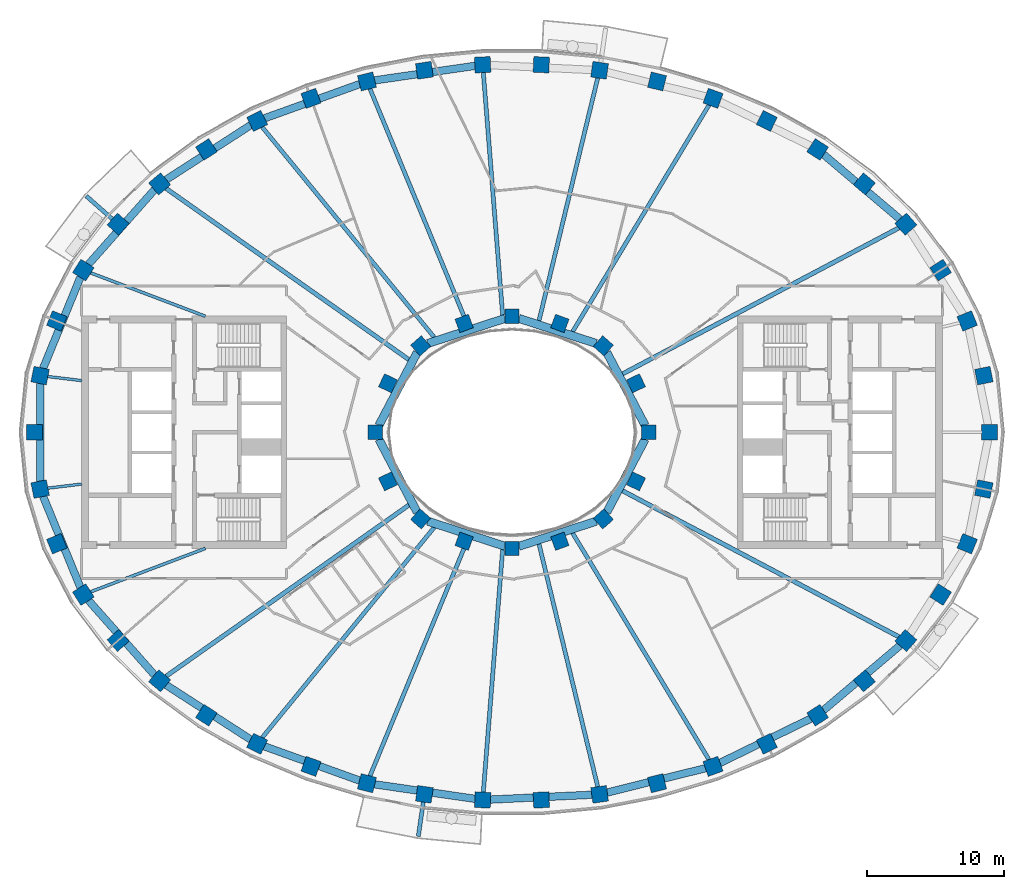
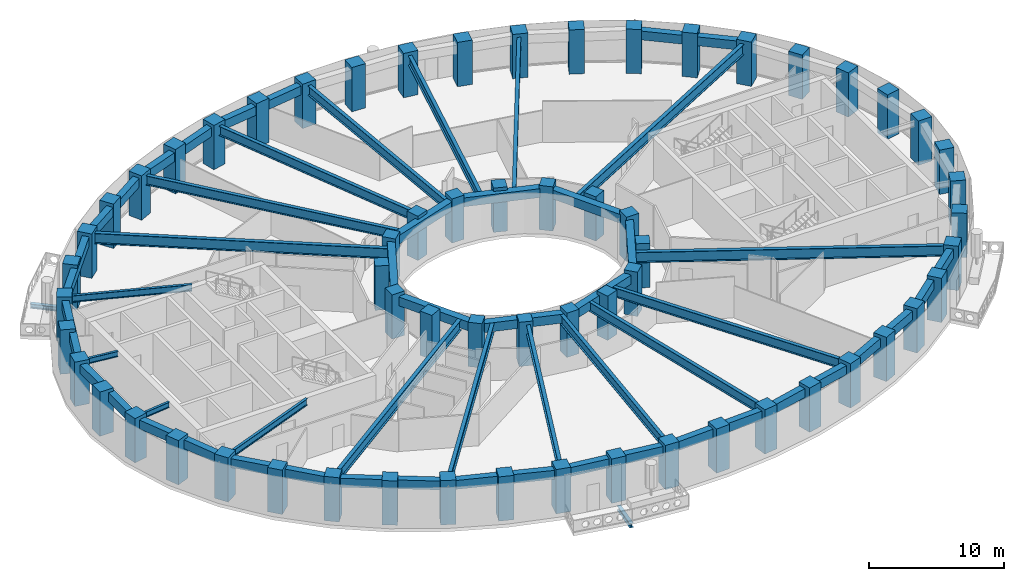
# One storey, part 1 of 16: 62 columns, 44 beams.
"""IFC4 building model written with IfcOpenShell, lengths in metres."""

from ifc_helpers import new_model, si_unit, direction, frame, origin, origin_2d, place, context, subcontext, project, spatial, rectangle, i_section, extrude, material, material_profile, profile_set, type_object, element, save


model = new_model("IFC4")

# Units and contexts
model_context = context("Model", 3, precision=1e-05, world=origin(), true_north=direction((0.0, 1.0)))
body_context = subcontext(model_context, "Body", "Model", "MODEL_VIEW")
ifc_project = project(units=[si_unit("LENGTHUNIT", "METRE"), si_unit("AREAUNIT", "SQUARE_METRE"), si_unit("VOLUMEUNIT", "CUBIC_METRE"), si_unit("PLANEANGLEUNIT", "RADIAN"), si_unit("MASSUNIT", "GRAM", prefix="KILO")], contexts=[model_context])

# Site, building, storey
site_placement = place(None, origin())
site = spatial("IfcSite", under=ifc_project, at=site_placement, CompositionType="ELEMENT")
building_placement = place(site_placement, origin())
building = spatial("IfcBuilding", under=site, at=building_placement, Name="Noorbagh Ring Tower", CompositionType="ELEMENT")
storey_placement = place(building_placement, frame((0.0, 0.0, 178.0)))
storey = spatial("IfcBuildingStorey", under=building, at=storey_placement, Name="L41", CompositionType="ELEMENT", Elevation=178.0)

# Columns
ifc_material_1 = material(Name="Concrete C60/75", Category="concrete")
ifc_material_profile_1 = material_profile(ifc_material_1, rectangle(XDim=1.14990234375, YDim=1.14990234375, at=origin_2d()), Name="RC1150x1150")
ifc_profile_set_1 = profile_set([ifc_material_profile_1], Name="Concrete C60/75")
column_type_1 = type_object("IfcColumnType", Name="STR-COL-RC1150x1150-C60-75", PredefinedType="COLUMN", material=ifc_profile_set_1)
for number, where, z_axis, x_axis, name in (
    (1, (34.944580078125, 0.0, 0.0), (0.0, 0.0, 1.0), (0.0, 1.0, 0.0), "L41/col/R1-01"),
    (2, (34.52685546875, 4.150634765625, 0.0), (0.0, 0.0, 1.0), (-0.19723040178, 0.9803571638, 0.0), "L41/col/R1-02"),
    (3, (33.30517578125, 8.1494140625, 0.0), (0.0, 0.0, 1.0), (-0.378989499959, 0.925400971969, 0.0), "L41/col/R1-03"),
    (4, (31.364990234375, 11.87109375, 0.0), (0.0, 0.0, 1.0), (-0.535190403059, 0.844731455833, 0.0), "L41/col/R1-04"),
    (5, (28.81884765625, 15.23046875, 0.0), (0.0, 0.0, 1.0), (-0.662635642662, 0.748941923699, 0.0), "L41/col/R1-05"),
    (6, (25.78271484375, 18.180419921875, 0.0), (0.0, 0.0, 1.0), (-0.763035199656, 0.646356932419, 0.0), "L41/col/R1-06"),
    (7, (22.362060546875, 20.699951171875, 0.0), (0.0, 0.0, 1.0), (-0.840247639643, 0.542202825586, 0.0), "L41/col/R1-07"),
    (8, (18.646240234375, 22.785400390625, 0.0), (0.0, 0.0, 1.0), (-0.898399080868, 0.439180021741, 0.0), "L41/col/R1-08"),
    (9, (14.70947265625, 24.44091796875, 0.0), (0.0, 0.0, 1.0), (-0.941024726094, 0.338337797003, 0.0), "L41/col/R1-09"),
    (10, (10.61328125, 25.673583984375, 0.0), (0.0, 0.0, 1.0), (-0.970829360981, 0.239771457553, 0.0), "L41/col/R1-10"),
    (11, (6.4091796875, 26.49072265625, 0.0), (0.0, 0.0, 1.0), (-0.989713114048, 0.143066249975, 0.0), "L41/col/R1-11"),
    (12, (2.14306640625, 26.89794921875, 0.0), (0.0, 0.0, 1.0), (-0.998868731212, 0.047552684538, 0.0), "L41/col/R1-12"),
    (13, (-2.14306640625, 26.89794921875, 0.0), (0.0, 0.0, 1.0), (-0.998868731212, -0.047552684538, 0.0), "L41/col/R1-13"),
    (14, (-6.4091796875, 26.49072265625, 0.0), (0.0, 0.0, 1.0), (-0.989713114048, -0.143066249975, 0.0), "L41/col/R1-14"),
    (15, (-10.61328125, 25.673583984375, 0.0), (0.0, 0.0, 1.0), (-0.970829360981, -0.239771457553, 0.0), "L41/col/R1-15"),
    (16, (-14.70947265625, 24.44091796875, 0.0), (0.0, 0.0, 1.0), (-0.941024726094, -0.338337797003, 0.0), "L41/col/R1-16"),
    (17, (-18.646240234375, 22.785400390625, 0.0), (0.0, 0.0, 1.0), (-0.898399080868, -0.439180021741, 0.0), "L41/col/R1-17"),
    (18, (-22.362060546875, 20.699951171875, 0.0), (0.0, 0.0, 1.0), (-0.840247639643, -0.542202825586, 0.0), "L41/col/R1-18"),
    (19, (-25.78271484375, 18.180419921875, 0.0), (0.0, 0.0, 1.0), (-0.763035199656, -0.646356932419, 0.0), "L41/col/R1-19"),
    (20, (-28.81884765625, 15.23046875, 0.0), (0.0, 0.0, 1.0), (-0.662635642662, -0.748941923699, 0.0), "L41/col/R1-20"),
    (21, (-31.364990234375, 11.87109375, 0.0), (0.0, 0.0, 1.0), (-0.535190403059, -0.844731455833, 0.0), "L41/col/R1-21"),
    (22, (-33.30517578125, 8.1494140625, 0.0), (0.0, 0.0, 1.0), (-0.378989499959, -0.925400971969, 0.0), "L41/col/R1-22"),
    (23, (-34.52685546875, 4.150634765625, 0.0), (0.0, 0.0, 1.0), (-0.19723040178, -0.9803571638, 0.0), "L41/col/R1-23"),
    (24, (-34.944580078125, 0.0, 0.0), (0.0, 0.0, 1.0), (0.0, -1.0, 0.0), "L41/col/R1-24"),
    (25, (-34.52685546875, -4.150634765625, 0.0), (0.0, 0.0, 1.0), (0.19723040178, -0.9803571638, 0.0), "L41/col/R1-25"),
    (26, (-33.30517578125, -8.1494140625, 0.0), (0.0, 0.0, 1.0), (0.378989499959, -0.925400971969, 0.0), "L41/col/R1-26"),
    (27, (-31.364990234375, -11.87109375, 0.0), (0.0, 0.0, 1.0), (0.535190403059, -0.844731455833, 0.0), "L41/col/R1-27"),
    (28, (-28.81884765625, -15.23046875, 0.0), (0.0, 0.0, 1.0), (0.662635642662, -0.748941923699, 0.0), "L41/col/R1-28"),
    (29, (-25.78271484375, -18.180419921875, 0.0), (0.0, 0.0, 1.0), (0.763035199656, -0.646356932419, 0.0), "L41/col/R1-29"),
    (30, (-22.362060546875, -20.699951171875, 0.0), (0.0, 0.0, 1.0), (0.840247639643, -0.542202825586, 0.0), "L41/col/R1-30"),
    (31, (-18.646240234375, -22.785400390625, 0.0), (0.0, 0.0, 1.0), (0.898399080868, -0.439180021741, 0.0), "L41/col/R1-31"),
    (32, (-14.70947265625, -24.44091796875, 0.0), (0.0, 0.0, 1.0), (0.941024726094, -0.338337797003, 0.0), "L41/col/R1-32"),
    (33, (-10.61328125, -25.673583984375, 0.0), (0.0, 0.0, 1.0), (0.970829360981, -0.239771457553, 0.0), "L41/col/R1-33"),
    (34, (-6.4091796875, -26.49072265625, 0.0), (0.0, 0.0, 1.0), (0.989713114048, -0.143066249975, 0.0), "L41/col/R1-34"),
    (35, (-2.14306640625, -26.89794921875, 0.0), (0.0, 0.0, 1.0), (0.998868731212, -0.047552684538, 0.0), "L41/col/R1-35"),
    (36, (2.14306640625, -26.89794921875, 0.0), (0.0, 0.0, 1.0), (0.998868731212, 0.047552684538, 0.0), "L41/col/R1-36"),
    (37, (6.4091796875, -26.49072265625, 0.0), (0.0, 0.0, 1.0), (0.989713114048, 0.143066249975, 0.0), "L41/col/R1-37"),
    (38, (10.61328125, -25.673583984375, 0.0), (0.0, 0.0, 1.0), (0.970829360981, 0.239771457553, 0.0), "L41/col/R1-38"),
    (39, (14.70947265625, -24.44091796875, 0.0), (0.0, 0.0, 1.0), (0.941024726094, 0.338337797003, 0.0), "L41/col/R1-39"),
    (40, (18.646240234375, -22.785400390625, 0.0), (0.0, 0.0, 1.0), (0.898399080868, 0.439180021741, 0.0), "L41/col/R1-40"),
    (41, (22.362060546875, -20.699951171875, 0.0), (0.0, 0.0, 1.0), (0.840247639643, 0.542202825586, 0.0), "L41/col/R1-41"),
    (42, (25.78271484375, -18.180419921875, 0.0), (0.0, 0.0, 1.0), (0.763035199656, 0.646356932419, 0.0), "L41/col/R1-42"),
    (43, (28.81884765625, -15.23046875, 0.0), (0.0, 0.0, 1.0), (0.662635642662, 0.748941923699, 0.0), "L41/col/R1-43"),
    (44, (31.364990234375, -11.87109375, 0.0), (0.0, 0.0, 1.0), (0.535190403059, 0.844731455833, 0.0), "L41/col/R1-44"),
    (45, (33.30517578125, -8.1494140625, 0.0), (0.0, 0.0, 1.0), (0.378989499959, 0.925400971969, 0.0), "L41/col/R1-45"),
    (46, (34.52685546875, -4.150634765625, 0.0), (0.0, 0.0, 1.0), (0.19723040178, 0.9803571638, 0.0), "L41/col/R1-46"),
):
    element("IfcColumn", number, at=place(storey_placement, frame(where, z_axis=z_axis, x_axis=x_axis)), inside=storey, type_object=column_type_1, Name=name, PredefinedType="COLUMN", context=body_context, shape_type="SweptSolid", body=[
        extrude(rectangle(XDim=1.14990234375, YDim=1.14990234375, at=origin_2d()), origin(), (0.0, 0.0, 1.0), 4.0),
    ])
ifc_material_2 = material(Name="Concrete C60/75", Category="concrete")
ifc_material_profile_2 = material_profile(ifc_material_2, rectangle(XDim=1.050048828125, YDim=1.050048828125, at=origin_2d()), Name="RC1050x1050")
ifc_profile_set_2 = profile_set([ifc_material_profile_2], Name="Concrete C60/75")
column_type_2 = type_object("IfcColumnType", Name="STR-ICOL-RC1050x1050-C60-75", PredefinedType="COLUMN", material=ifc_profile_set_2)
for number, where, z_axis, x_axis, name in (
    (47, (10.00830078125, 0.0, 0.0), (0.0, 0.0, 1.0), (0.0, 1.0, 0.0), "L41/col/IR2-W01"),
    (48, (9.07568359375, 3.58837890625, 0.0), (0.0, 0.0, 1.0), (-0.428666979171, 0.903462573087, 0.0), "L41/col/IR2-W03"),
    (49, (6.68212890625, 6.333740234375, 0.0), (0.0, 0.0, 1.0), (-0.75102249095, 0.660276622399, 0.0), "L41/col/IR2-W05"),
    (50, (3.5009765625, 7.967041015625, 0.0), (0.0, 0.0, 1.0), (-0.939019578916, 0.343863679984, 0.0), "L41/col/IR2-W07"),
    (51, (0.0, 8.5029296875, 0.0), (0.0, 0.0, 1.0), (-1.0, 0.0, 0.0), "L41/col/IR2-W09"),
    (52, (-3.5009765625, 7.967041015625, 0.0), (0.0, 0.0, 1.0), (-0.939019578916, -0.343863679984, 0.0), "L41/col/IR2-W11"),
    (53, (-6.68212890625, 6.333740234375, 0.0), (0.0, 0.0, 1.0), (-0.75102249095, -0.660276622399, 0.0), "L41/col/IR2-W13"),
    (54, (-9.07568359375, 3.58837890625, 0.0), (0.0, 0.0, 1.0), (-0.428666979171, -0.903462573087, 0.0), "L41/col/IR2-W15"),
    (55, (-10.00830078125, 0.0, 0.0), (0.0, 0.0, 1.0), (0.0, -1.0, 0.0), "L41/col/IR2-W17"),
    (56, (-9.07568359375, -3.58837890625, 0.0), (0.0, 0.0, 1.0), (0.428666979171, -0.903462573087, 0.0), "L41/col/IR2-W19"),
    (57, (-6.68212890625, -6.333740234375, 0.0), (0.0, 0.0, 1.0), (0.75102249095, -0.660276622399, 0.0), "L41/col/IR2-W21"),
    (58, (-3.5009765625, -7.967041015625, 0.0), (0.0, 0.0, 1.0), (0.939019578916, -0.343863679984, 0.0), "L41/col/IR2-W23"),
    (59, (0.0, -8.5029296875, 0.0), (0.0, 0.0, 1.0), (1.0, 0.0, 0.0), "L41/col/IR2-W25"),
    (60, (3.5009765625, -7.967041015625, 0.0), (0.0, 0.0, 1.0), (0.939019578916, 0.343863679984, 0.0), "L41/col/IR2-W27"),
    (61, (6.68212890625, -6.333740234375, 0.0), (0.0, 0.0, 1.0), (0.75102249095, 0.660276622399, 0.0), "L41/col/IR2-W29"),
    (62, (9.07568359375, -3.58837890625, 0.0), (0.0, 0.0, 1.0), (0.428666979171, 0.903462573087, 0.0), "L41/col/IR2-W31"),
):
    element("IfcColumn", number, at=place(storey_placement, frame(where, z_axis=z_axis, x_axis=x_axis)), inside=storey, type_object=column_type_2, Name=name, PredefinedType="COLUMN", context=body_context, shape_type="SweptSolid", body=[
        extrude(rectangle(XDim=1.050048828125, YDim=1.050048828125, at=origin_2d()), origin(), (0.0, 0.0, 1.0), 4.0),
    ])

# Beams
ifc_material_3 = material(Name="Steel S355", Category="steel")
ifc_material_profile_3 = material_profile(ifc_material_3, i_section(OverallWidth=0.300048828125, OverallDepth=0.39990234375, WebThickness=0.013427734375, FlangeThickness=0.02392578125, FilletRadius=0.027099609375, at=origin_2d()), Name="HEB400")
ifc_profile_set_3 = profile_set([ifc_material_profile_3], Name="Steel S355")
beam_type_1 = type_object("IfcBeamType", Name="STR-BALCONY-BRACKET-HEB400", PredefinedType="BEAM", material=ifc_profile_set_3)
beam_1_placement = place(storey_placement, frame((-29.234619140625, 15.59814453125, -0.5), z_axis=(-0.749031222735, 0.662534698992, 0.0), x_axis=(-0.662534698992, -0.749031222735, 0.0)))
element("IfcBeam", 63, at=beam_1_placement, inside=storey, type_object=beam_type_1, Name="Balcony bracket beam BN06", PredefinedType="BEAM", context=body_context, shape_type="SweptSolid", body=[
    extrude(i_section(OverallWidth=0.300048828125, OverallDepth=0.39990234375, WebThickness=0.013427734375, FlangeThickness=0.02392578125, FilletRadius=0.027099609375, at=origin_2d()), origin(), (0.0, 0.0, 1.0), 2.554443359375),
])
beam_2_placement = place(storey_placement, frame((-6.48876953125, -27.0400390625, -0.5), z_axis=(-0.143003505054, -0.989722182, 0.0), x_axis=(0.989722182, -0.143003505054, 0.0)))
element("IfcBeam", 64, at=beam_2_placement, inside=storey, type_object=beam_type_1, Name="Balcony bracket beam BS03", PredefinedType="BEAM", context=body_context, shape_type="SweptSolid", body=[
    extrude(i_section(OverallWidth=0.300048828125, OverallDepth=0.39990234375, WebThickness=0.013427734375, FlangeThickness=0.02392578125, FilletRadius=0.027099609375, at=origin_2d()), origin(), (0.0, 0.0, 1.0), 2.548828125),
])
ifc_material_4 = material(Name="Steel S355", Category="steel")
ifc_material_profile_4 = material_profile(ifc_material_4, i_section(OverallWidth=0.199951171875, OverallDepth=0.5, WebThickness=0.01025390625, FlangeThickness=0.01611328125, FilletRadius=0.02099609375, at=origin_2d()), Name="IPE500")
ifc_profile_set_4 = profile_set([ifc_material_profile_4], Name="Steel S355")
beam_type_2 = type_object("IfcBeamType", Name="STR-RAD-IPE500", PredefinedType="BEAM", material=ifc_profile_set_4)
for number, where, z_axis, x_axis, name in (
    (65, (-33.973876953125, 4.084228515625, 3.449951171875), (0.992850135932, -0.119367531518, 0.0), (0.119367531518, 0.992850135932, 0.0), "L41/bm/RD23"),
    (66, (-33.973876953125, -4.084228515625, 3.449951171875), (0.992850135932, 0.119367531518, 0.0), (-0.119367531518, 0.992850135932, 0.0), "L41/bm/RD25"),
):
    element("IfcBeam", number, at=place(storey_placement, frame(where, z_axis=z_axis, x_axis=x_axis)), inside=storey, type_object=beam_type_2, Name=name, PredefinedType="BEAM", context=body_context, shape_type="SweptSolid", body=[
        extrude(i_section(OverallWidth=0.199951171875, OverallDepth=0.5, WebThickness=0.01025390625, FlangeThickness=0.01611328125, FilletRadius=0.02099609375, at=origin_2d()), origin(), (0.0, 0.0, 1.0), 2.51171875),
    ])
ifc_material_5 = material(Name="Steel S355", Category="steel")
ifc_material_profile_5 = material_profile(ifc_material_5, i_section(OverallWidth=0.219970703125, OverallDepth=0.60009765625, WebThickness=0.011962890625, FlangeThickness=0.01904296875, FilletRadius=0.02392578125, at=origin_2d()), Name="IPE600")
ifc_profile_set_5 = profile_set([ifc_material_profile_5], Name="Steel S355")
beam_type_3 = type_object("IfcBeamType", Name="STR-RAD-IPE600", PredefinedType="BEAM", material=ifc_profile_set_5)
for number, where, z_axis, x_axis, name in (
    (67, (-30.834716796875, 11.670166015625, 3.39990234375), (0.935258517004, -0.353965402789, 0.0), (0.353965402789, 0.935258517004, 0.0), "L41/bm/RD21"),
    (68, (-30.834716796875, -11.670166015625, 3.39990234375), (0.935258517004, 0.353965402789, 0.0), (-0.353965402789, 0.935258517004, 0.0), "L41/bm/RD27"),
):
    element("IfcBeam", number, at=place(storey_placement, frame(where, z_axis=z_axis, x_axis=x_axis)), inside=storey, type_object=beam_type_3, Name=name, PredefinedType="BEAM", context=body_context, shape_type="SweptSolid", body=[
        extrude(i_section(OverallWidth=0.219970703125, OverallDepth=0.60009765625, WebThickness=0.011962890625, FlangeThickness=0.01904296875, FilletRadius=0.02392578125, at=origin_2d()), origin(), (0.0, 0.0, 1.0), 8.97607421875),
    ])
ifc_material_6 = material(Name="Steel S355", Category="steel")
ifc_material_profile_6 = material_profile(ifc_material_6, i_section(OverallWidth=0.300048828125, OverallDepth=0.85009765625, WebThickness=0.013916015625, FlangeThickness=0.028076171875, at=origin_2d()), Name="PG850x300x14x28")
ifc_profile_set_6 = profile_set([ifc_material_profile_6], Name="Steel S355")
beam_type_4 = type_object("IfcBeamType", Name="STR-RAD-PG850x300x14x28", PredefinedType="BEAM", material=ifc_profile_set_6)
beam_3_placement = place(storey_placement, frame((14.41748046875, 23.95556640625, 3.27490234375), z_axis=(-0.515657480155, -0.856794819756, 0.0), x_axis=(0.856794819756, -0.515657480155, 0.0)))
element("IfcBeam", 69, at=beam_3_placement, inside=storey, type_object=beam_type_4, Name="L41/bm/RD09", PredefinedType="BEAM", context=body_context, shape_type="SweptSolid", body=[
    extrude(i_section(OverallWidth=0.300048828125, OverallDepth=0.85009765625, WebThickness=0.013916015625, FlangeThickness=0.028076171875, at=origin_2d()), origin(), (0.0, 0.0, 1.0), 19.36962890625),
])
beam_4_placement = place(storey_placement, frame((6.278076171875, 25.948974609375, 3.27490234375), z_axis=(-0.235157209599, -0.971957348228, 0.0), x_axis=(0.971957348228, -0.235157209599, 0.0)))
element("IfcBeam", 70, at=beam_4_placement, inside=storey, type_object=beam_type_4, Name="L41/bm/RD11", PredefinedType="BEAM", context=body_context, shape_type="SweptSolid", body=[
    extrude(i_section(OverallWidth=0.300048828125, OverallDepth=0.85009765625, WebThickness=0.013916015625, FlangeThickness=0.028076171875, at=origin_2d()), origin(), (0.0, 0.0, 1.0), 18.3056640625),
])
beam_5_placement = place(storey_placement, frame((-2.09912109375, 26.344482421875, 3.27490234375), z_axis=(0.079426755243, -0.996840704702, 0.0), x_axis=(0.996840704702, 0.079426755243, 0.0)))
element("IfcBeam", 71, at=beam_5_placement, inside=storey, type_object=beam_type_4, Name="L41/bm/RD13", PredefinedType="BEAM", context=body_context, shape_type="SweptSolid", body=[
    extrude(i_section(OverallWidth=0.300048828125, OverallDepth=0.85009765625, WebThickness=0.013916015625, FlangeThickness=0.028076171875, at=origin_2d()), origin(), (0.0, 0.0, 1.0), 17.824951171875),
])
beam_6_placement = place(storey_placement, frame((-10.398681640625, 25.15478515625, 3.27490234375), z_axis=(0.382029145197, -0.924150275778, 0.0), x_axis=(0.924150275778, 0.382029145197, 0.0)))
element("IfcBeam", 72, at=beam_6_placement, inside=storey, type_object=beam_type_4, Name="L41/bm/RD15", PredefinedType="BEAM", context=body_context, shape_type="SweptSolid", body=[
    extrude(i_section(OverallWidth=0.300048828125, OverallDepth=0.85009765625, WebThickness=0.013916015625, FlangeThickness=0.028076171875, at=origin_2d()), origin(), (0.0, 0.0, 1.0), 18.826171875),
])
for number, where, z_axis, x_axis, name in (
    (73, (-18.284912109375, 22.34375, 3.27490234375), (0.633309312675, -0.773898775344, 0.0), (0.773898775344, 0.633309312675, 0.0), "L41/bm/RD17"),
    (74, (-18.284912109375, -22.34375, 3.27490234375), (0.633309312675, 0.773898775344, 0.0), (-0.773898775344, 0.633309312675, 0.0), "L41/bm/RD31"),
):
    element("IfcBeam", number, at=place(storey_placement, frame(where, z_axis=z_axis, x_axis=x_axis)), inside=storey, type_object=beam_type_4, Name=name, PredefinedType="BEAM", context=body_context, shape_type="SweptSolid", body=[
        extrude(i_section(OverallWidth=0.300048828125, OverallDepth=0.85009765625, WebThickness=0.013916015625, FlangeThickness=0.028076171875, at=origin_2d()), origin(), (0.0, 0.0, 1.0), 19.888671875),
    ])
beam_7_placement = place(storey_placement, frame((-10.398681640625, -25.15478515625, 3.27490234375), z_axis=(0.382029145197, 0.924150275778, 0.0), x_axis=(-0.924150275778, 0.382029145197, 0.0)))
element("IfcBeam", 75, at=beam_7_placement, inside=storey, type_object=beam_type_4, Name="L41/bm/RD33", PredefinedType="BEAM", context=body_context, shape_type="SweptSolid", body=[
    extrude(i_section(OverallWidth=0.300048828125, OverallDepth=0.85009765625, WebThickness=0.013916015625, FlangeThickness=0.028076171875, at=origin_2d()), origin(), (0.0, 0.0, 1.0), 18.826171875),
])
beam_8_placement = place(storey_placement, frame((-2.09912109375, -26.344482421875, 3.27490234375), z_axis=(0.079426755243, 0.996840704702, 0.0), x_axis=(-0.996840704702, 0.079426755243, 0.0)))
element("IfcBeam", 76, at=beam_8_placement, inside=storey, type_object=beam_type_4, Name="L41/bm/RD35", PredefinedType="BEAM", context=body_context, shape_type="SweptSolid", body=[
    extrude(i_section(OverallWidth=0.300048828125, OverallDepth=0.85009765625, WebThickness=0.013916015625, FlangeThickness=0.028076171875, at=origin_2d()), origin(), (0.0, 0.0, 1.0), 17.824951171875),
])
beam_9_placement = place(storey_placement, frame((6.278076171875, -25.948974609375, 3.27490234375), z_axis=(-0.235157209599, 0.971957348228, 0.0), x_axis=(-0.971957348228, -0.235157209599, 0.0)))
element("IfcBeam", 77, at=beam_9_placement, inside=storey, type_object=beam_type_4, Name="L41/bm/RD37", PredefinedType="BEAM", context=body_context, shape_type="SweptSolid", body=[
    extrude(i_section(OverallWidth=0.300048828125, OverallDepth=0.85009765625, WebThickness=0.013916015625, FlangeThickness=0.028076171875, at=origin_2d()), origin(), (0.0, 0.0, 1.0), 18.3056640625),
])
beam_10_placement = place(storey_placement, frame((14.41748046875, -23.95556640625, 3.27490234375), z_axis=(-0.515657480155, 0.856794819756, 0.0), x_axis=(-0.856794819756, -0.515657480155, 0.0)))
element("IfcBeam", 78, at=beam_10_placement, inside=storey, type_object=beam_type_4, Name="L41/bm/RD39", PredefinedType="BEAM", context=body_context, shape_type="SweptSolid", body=[
    extrude(i_section(OverallWidth=0.300048828125, OverallDepth=0.85009765625, WebThickness=0.013916015625, FlangeThickness=0.028076171875, at=origin_2d()), origin(), (0.0, 0.0, 1.0), 19.36962890625),
])
ifc_material_7 = material(Name="Steel S355", Category="steel")
ifc_material_profile_7 = material_profile(ifc_material_7, i_section(OverallWidth=0.320068359375, OverallDepth=0.949951171875, WebThickness=0.01611328125, FlangeThickness=0.030029296875, at=origin_2d()), Name="PG950x320x16x30")
ifc_profile_set_7 = profile_set([ifc_material_profile_7], Name="Steel S355")
beam_type_5 = type_object("IfcBeamType", Name="STR-RAD-PG950x320x16x30", PredefinedType="BEAM", material=ifc_profile_set_7)
beam_11_placement = place(storey_placement, frame((28.3134765625, 14.96337890625, 3.22509765625), z_axis=(-0.88412220417, -0.467255741638, 0.0), x_axis=(0.467255741638, -0.88412220417, 0.0)))
element("IfcBeam", 79, at=beam_11_placement, inside=storey, type_object=beam_type_5, Name="L41/bm/RD05", PredefinedType="BEAM", context=body_context, shape_type="SweptSolid", body=[
    extrude(i_section(OverallWidth=0.320068359375, OverallDepth=0.949951171875, WebThickness=0.01611328125, FlangeThickness=0.030029296875, at=origin_2d()), origin(), (0.0, 0.0, 1.0), 22.88330078125),
])
for number, where, z_axis, x_axis, name in (
    (80, (-25.313720703125, 17.849609375, 3.22509765625), (0.81725576223, -0.576275124487, 0.0), (0.576275124487, 0.81725576223, 0.0), "L41/bm/RD19"),
    (81, (-25.313720703125, -17.849609375, 3.22509765625), (0.81725576223, 0.576275124487, 0.0), (-0.576275124487, 0.81725576223, 0.0), "L41/bm/RD29"),
):
    element("IfcBeam", number, at=place(storey_placement, frame(where, z_axis=z_axis, x_axis=x_axis)), inside=storey, type_object=beam_type_5, Name=name, PredefinedType="BEAM", context=body_context, shape_type="SweptSolid", body=[
        extrude(i_section(OverallWidth=0.320068359375, OverallDepth=0.949951171875, WebThickness=0.01611328125, FlangeThickness=0.030029296875, at=origin_2d()), origin(), (0.0, 0.0, 1.0), 21.754638671875),
    ])
beam_12_placement = place(storey_placement, frame((28.3134765625, -14.96337890625, 3.22509765625), z_axis=(-0.88412220417, 0.467255741638, 0.0), x_axis=(-0.467255741638, -0.88412220417, 0.0)))
element("IfcBeam", 82, at=beam_12_placement, inside=storey, type_object=beam_type_5, Name="L41/bm/RD43", PredefinedType="BEAM", context=body_context, shape_type="SweptSolid", body=[
    extrude(i_section(OverallWidth=0.320068359375, OverallDepth=0.949951171875, WebThickness=0.01611328125, FlangeThickness=0.030029296875, at=origin_2d()), origin(), (0.0, 0.0, 1.0), 22.88330078125),
])
ifc_material_8 = material(Name="Concrete C40/50", Category="concrete")
ifc_material_profile_8 = material_profile(ifc_material_8, rectangle(XDim=0.60009765625, YDim=0.800048828125, at=origin_2d()), Name="RC600x800")
ifc_profile_set_8 = profile_set([ifc_material_profile_8], Name="Concrete C40/50")
beam_type_6 = type_object("IfcBeamType", Name="STR-RB-RC600x800-C40-50", PredefinedType="BEAM", material=ifc_profile_set_8)
beam_13_placement = place(storey_placement, frame((9.741943359375, 0.50732421875, 3.300048828125), z_axis=(-0.464929768283, 0.885347564838, 0.0), x_axis=(-0.885347564838, -0.464929768283, 0.0)))
element("IfcBeam", 83, at=beam_13_placement, inside=storey, type_object=beam_type_6, Name="L41/bm/RG01", PredefinedType="BEAM", context=body_context, shape_type="SweptSolid", body=[
    extrude(rectangle(XDim=0.60009765625, YDim=0.800048828125, at=origin_2d()), origin(), (0.0, 0.0, 1.0), 6.038818359375),
])
for number, where, z_axis, x_axis, name in (
    (84, (6.157470703125, 6.504150390625, 3.300048828125), (-0.951147838406, 0.308735792379, 0.0), (-0.308735792379, -0.951147838406, 0.0), "L41/bm/RG03"),
    (85, (-0.505859375, 8.338623046875, 3.300048828125), (-0.951147838406, -0.308735792379, 0.0), (0.308735792379, -0.951147838406, 0.0), "L41/bm/RG05"),
):
    element("IfcBeam", number, at=place(storey_placement, frame(where, z_axis=z_axis, x_axis=x_axis)), inside=storey, type_object=beam_type_6, Name=name, PredefinedType="BEAM", context=body_context, shape_type="SweptSolid", body=[
        extrude(rectangle(XDim=0.60009765625, YDim=0.800048828125, at=origin_2d()), origin(), (0.0, 0.0, 1.0), 5.94189453125),
    ])
for number, where, z_axis, x_axis, name in (
    (86, (-6.934326171875, 5.853759765625, 3.300048828125), (-0.464929768283, -0.885347564838, 0.0), (0.885347564838, -0.464929768283, 0.0), "L41/bm/RG07"),
    (87, (-9.741943359375, -0.50732421875, 3.300048828125), (0.464929768283, -0.885347564838, 0.0), (0.885347564838, 0.464929768283, 0.0), "L41/bm/RG09"),
):
    element("IfcBeam", number, at=place(storey_placement, frame(where, z_axis=z_axis, x_axis=x_axis)), inside=storey, type_object=beam_type_6, Name=name, PredefinedType="BEAM", context=body_context, shape_type="SweptSolid", body=[
        extrude(rectangle(XDim=0.60009765625, YDim=0.800048828125, at=origin_2d()), origin(), (0.0, 0.0, 1.0), 6.038818359375),
    ])
for number, where, z_axis, x_axis, name in (
    (88, (-6.157470703125, -6.504150390625, 3.300048828125), (0.951147838406, -0.308735792379, 0.0), (0.308735792379, 0.951147838406, 0.0), "L41/bm/RG11"),
    (89, (0.505859375, -8.338623046875, 3.300048828125), (0.951147838406, 0.308735792379, 0.0), (-0.308735792379, 0.951147838406, 0.0), "L41/bm/RG13"),
):
    element("IfcBeam", number, at=place(storey_placement, frame(where, z_axis=z_axis, x_axis=x_axis)), inside=storey, type_object=beam_type_6, Name=name, PredefinedType="BEAM", context=body_context, shape_type="SweptSolid", body=[
        extrude(rectangle(XDim=0.60009765625, YDim=0.800048828125, at=origin_2d()), origin(), (0.0, 0.0, 1.0), 5.94189453125),
    ])
beam_14_placement = place(storey_placement, frame((6.934326171875, -5.853759765625, 3.300048828125), z_axis=(0.464929768283, 0.885347564838, 0.0), x_axis=(-0.885347564838, 0.464929768283, 0.0)))
element("IfcBeam", 90, at=beam_14_placement, inside=storey, type_object=beam_type_6, Name="L41/bm/RG15", PredefinedType="BEAM", context=body_context, shape_type="SweptSolid", body=[
    extrude(rectangle(XDim=0.60009765625, YDim=0.800048828125, at=origin_2d()), origin(), (0.0, 0.0, 1.0), 6.038818359375),
])
ifc_material_9 = material(Name="Concrete C40/50", Category="concrete")
ifc_material_profile_9 = material_profile(ifc_material_9, rectangle(XDim=0.550048828125, YDim=0.800048828125, at=origin_2d()), Name="RC550x800")
ifc_profile_set_9 = profile_set([ifc_material_profile_9], Name="Concrete C40/50")
beam_type_7 = type_object("IfcBeamType", Name="STR-SB-RC550x800-C40-50", PredefinedType="BEAM", material=ifc_profile_set_9)
beam_15_placement = place(storey_placement, frame((28.390869140625, 15.593017578125, 3.300048828125), z_axis=(-0.76302791951, 0.646365526656, 0.0), x_axis=(-0.646365526656, -0.76302791951, 0.0)))
element("IfcBeam", 91, at=beam_15_placement, inside=storey, type_object=beam_type_7, Name="L41/bm/SP05", PredefinedType="BEAM", context=body_context, shape_type="SweptSolid", body=[
    extrude(rectangle(XDim=0.550048828125, YDim=0.800048828125, at=origin_2d()), origin(), (0.0, 0.0, 1.0), 7.34130859375),
])
beam_16_placement = place(storey_placement, frame((-2.695068359375, 26.818115234375, 3.300048828125), z_axis=(-0.989714582635, -0.143056090115, 0.0), x_axis=(0.143056090115, -0.989714582635, 0.0)))
element("IfcBeam", 92, at=beam_16_placement, inside=storey, type_object=beam_type_7, Name="L41/bm/SP13", PredefinedType="BEAM", context=body_context, shape_type="SweptSolid", body=[
    extrude(rectangle(XDim=0.550048828125, YDim=0.800048828125, at=origin_2d()), origin(), (0.0, 0.0, 1.0), 7.442626953125),
])
beam_17_placement = place(storey_placement, frame((-11.138427734375, 25.48486328125, 3.300048828125), z_axis=(-0.941023654447, -0.338340777576, 0.0), x_axis=(0.338340777576, -0.941023654447, 0.0)))
element("IfcBeam", 93, at=beam_17_placement, inside=storey, type_object=beam_type_7, Name="L41/bm/SP15", PredefinedType="BEAM", context=body_context, shape_type="SweptSolid", body=[
    extrude(rectangle(XDim=0.550048828125, YDim=0.800048828125, at=origin_2d()), origin(), (0.0, 0.0, 1.0), 7.419921875),
])
beam_18_placement = place(storey_placement, frame((-19.115966796875, 22.482177734375, 3.300048828125), z_axis=(-0.840254319368, -0.542192473928, 0.0), x_axis=(0.542192473928, -0.840254319368, 0.0)))
element("IfcBeam", 94, at=beam_18_placement, inside=storey, type_object=beam_type_7, Name="L41/bm/SP17", PredefinedType="BEAM", context=body_context, shape_type="SweptSolid", body=[
    extrude(rectangle(XDim=0.550048828125, YDim=0.800048828125, at=origin_2d()), origin(), (0.0, 0.0, 1.0), 7.374267578125),
])
beam_19_placement = place(storey_placement, frame((-26.154541015625, 17.76025390625, 3.300048828125), z_axis=(-0.662635208679, -0.74894230767, 0.0), x_axis=(0.74894230767, -0.662635208679, 0.0)))
element("IfcBeam", 95, at=beam_19_placement, inside=storey, type_object=beam_type_7, Name="L41/bm/SP19", PredefinedType="BEAM", context=body_context, shape_type="SweptSolid", body=[
    extrude(rectangle(XDim=0.550048828125, YDim=0.800048828125, at=origin_2d()), origin(), (0.0, 0.0, 1.0), 7.301025390625),
])
beam_20_placement = place(storey_placement, frame((-31.578857421875, 11.34912109375, 3.300048828125), z_axis=(-0.378982069308, -0.925404015089, 0.0), x_axis=(0.925404015089, -0.378982069308, 0.0)))
element("IfcBeam", 96, at=beam_20_placement, inside=storey, type_object=beam_type_7, Name="L41/bm/SP21", PredefinedType="BEAM", context=body_context, shape_type="SweptSolid", body=[
    extrude(rectangle(XDim=0.550048828125, YDim=0.800048828125, at=origin_2d()), origin(), (0.0, 0.0, 1.0), 7.213134765625),
])
beam_21_placement = place(storey_placement, frame((-34.52685546875, 3.584228515625, 3.300048828125), z_axis=(0.0, -1.0, 0.0), x_axis=(1.0, 0.0, 0.0)))
element("IfcBeam", 97, at=beam_21_placement, inside=storey, type_object=beam_type_7, Name="L41/bm/SP23", PredefinedType="BEAM", context=body_context, shape_type="SweptSolid", body=[
    extrude(rectangle(XDim=0.550048828125, YDim=0.800048828125, at=origin_2d()), origin(), (0.0, 0.0, 1.0), 7.16845703125),
])
beam_22_placement = place(storey_placement, frame((-34.3125, -4.674072265625, 3.300048828125), z_axis=(0.378982069308, -0.925404015089, 0.0), x_axis=(0.925404015089, 0.378982069308, 0.0)))
element("IfcBeam", 98, at=beam_22_placement, inside=storey, type_object=beam_type_7, Name="L41/bm/SP25", PredefinedType="BEAM", context=body_context, shape_type="SweptSolid", body=[
    extrude(rectangle(XDim=0.550048828125, YDim=0.800048828125, at=origin_2d()), origin(), (0.0, 0.0, 1.0), 7.213134765625),
])
beam_23_placement = place(storey_placement, frame((-30.992431640625, -12.292236328125, 3.300048828125), z_axis=(0.662635208679, -0.74894230767, 0.0), x_axis=(0.74894230767, 0.662635208679, 0.0)))
element("IfcBeam", 99, at=beam_23_placement, inside=storey, type_object=beam_type_7, Name="L41/bm/SP27", PredefinedType="BEAM", context=body_context, shape_type="SweptSolid", body=[
    extrude(rectangle(XDim=0.550048828125, YDim=0.800048828125, at=origin_2d()), origin(), (0.0, 0.0, 1.0), 7.301025390625),
])
beam_24_placement = place(storey_placement, frame((-25.312255859375, -18.48388671875, 3.300048828125), z_axis=(0.840254319368, -0.542192473928, 0.0), x_axis=(0.542192473928, 0.840254319368, 0.0)))
element("IfcBeam", 100, at=beam_24_placement, inside=storey, type_object=beam_type_7, Name="L41/bm/SP29", PredefinedType="BEAM", context=body_context, shape_type="SweptSolid", body=[
    extrude(rectangle(XDim=0.550048828125, YDim=0.800048828125, at=origin_2d()), origin(), (0.0, 0.0, 1.0), 7.374267578125),
])
beam_25_placement = place(storey_placement, frame((-18.120849609375, -22.974365234375, 3.300048828125), z_axis=(0.941023654447, -0.338340777576, 0.0), x_axis=(0.338340777576, 0.941023654447, 0.0)))
element("IfcBeam", 101, at=beam_25_placement, inside=storey, type_object=beam_type_7, Name="L41/bm/SP31", PredefinedType="BEAM", context=body_context, shape_type="SweptSolid", body=[
    extrude(rectangle(XDim=0.550048828125, YDim=0.800048828125, at=origin_2d()), origin(), (0.0, 0.0, 1.0), 7.419921875),
])
beam_26_placement = place(storey_placement, frame((-10.06103515625, -25.75341796875, 3.300048828125), z_axis=(0.989714582635, -0.143056090115, 0.0), x_axis=(0.143056090115, 0.989714582635, 0.0)))
element("IfcBeam", 102, at=beam_26_placement, inside=storey, type_object=beam_type_7, Name="L41/bm/SP33", PredefinedType="BEAM", context=body_context, shape_type="SweptSolid", body=[
    extrude(rectangle(XDim=0.550048828125, YDim=0.800048828125, at=origin_2d()), origin(), (0.0, 0.0, 1.0), 7.442626953125),
])
beam_27_placement = place(storey_placement, frame((-1.586181640625, -26.87158203125, 3.300048828125), z_axis=(0.998867915197, 0.047569822271, 0.0), x_axis=(-0.047569822271, 0.998867915197, 0.0)))
element("IfcBeam", 103, at=beam_27_placement, inside=storey, type_object=beam_type_7, Name="L41/bm/SP35", PredefinedType="BEAM", context=body_context, shape_type="SweptSolid", body=[
    extrude(rectangle(XDim=0.550048828125, YDim=0.800048828125, at=origin_2d()), origin(), (0.0, 0.0, 1.0), 7.447021484375),
])
beam_28_placement = place(storey_placement, frame((6.95068359375, -26.357177734375, 3.300048828125), z_axis=(0.970828249823, 0.239775956563, 0.0), x_axis=(-0.239775956563, 0.970828249823, 0.0)))
element("IfcBeam", 104, at=beam_28_placement, inside=storey, type_object=beam_type_7, Name="L41/bm/SP37", PredefinedType="BEAM", context=body_context, shape_type="SweptSolid", body=[
    extrude(rectangle(XDim=0.550048828125, YDim=0.800048828125, at=origin_2d()), origin(), (0.0, 0.0, 1.0), 7.433837890625),
])
beam_29_placement = place(storey_placement, frame((15.211181640625, -24.195556640625, 3.300048828125), z_axis=(0.898409236546, 0.439159246389, 0.0), x_axis=(-0.439159246389, 0.898409236546, 0.0)))
element("IfcBeam", 105, at=beam_29_placement, inside=storey, type_object=beam_type_7, Name="L41/bm/SP39", PredefinedType="BEAM", context=body_context, shape_type="SweptSolid", body=[
    extrude(rectangle(XDim=0.550048828125, YDim=0.800048828125, at=origin_2d()), origin(), (0.0, 0.0, 1.0), 7.400390625),
])
beam_30_placement = place(storey_placement, frame((22.789306640625, -20.338134765625, 3.300048828125), z_axis=(0.76302791951, 0.646365526656, 0.0), x_axis=(-0.646365526656, 0.76302791951, 0.0)))
element("IfcBeam", 106, at=beam_30_placement, inside=storey, type_object=beam_type_7, Name="L41/bm/SP41", PredefinedType="BEAM", context=body_context, shape_type="SweptSolid", body=[
    extrude(rectangle(XDim=0.550048828125, YDim=0.800048828125, at=origin_2d()), origin(), (0.0, 0.0, 1.0), 7.34130859375),
])

save(model, "model.ifc")
